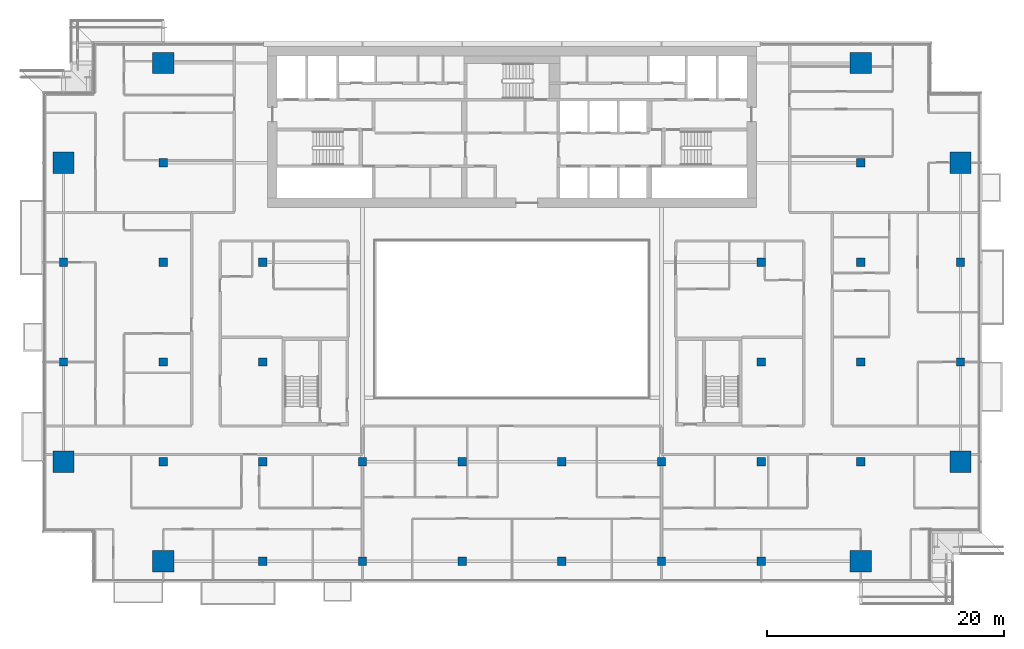
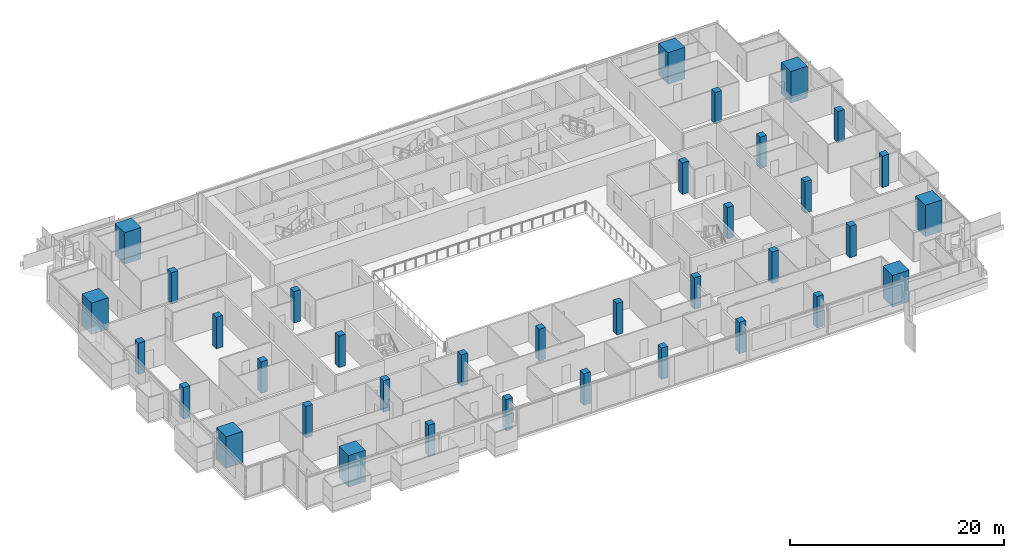
# One storey, part 1 of 30: 36 columns.
"""IFC4 building model written with IfcOpenShell, lengths in metres."""

from ifc_helpers import new_model, si_unit, direction, frame, origin, origin_2d, place, context, subcontext, project, spatial, rectangle, extrude, material, material_profile, profile_set, type_object, element, save


model = new_model("IFC4")

# Units and contexts
model_context = context("Model", 3, precision=1e-05, world=origin(), true_north=direction((0.0, 1.0)))
body_context = subcontext(model_context, "Body", "Model", "MODEL_VIEW")
ifc_project = project(units=[si_unit("LENGTHUNIT", "METRE"), si_unit("AREAUNIT", "SQUARE_METRE"), si_unit("VOLUMEUNIT", "CUBIC_METRE"), si_unit("PLANEANGLEUNIT", "RADIAN"), si_unit("MASSUNIT", "GRAM", prefix="KILO")], contexts=[model_context])

# Site, building, storey
site_placement = place(None, origin())
site = spatial("IfcSite", under=ifc_project, at=site_placement, CompositionType="ELEMENT")
building_placement = place(site_placement, origin())
building = spatial("IfcBuilding", under=site, at=building_placement, Name="Saffron Gate Tower", CompositionType="ELEMENT")
storey_placement = place(building_placement, frame((0.0, 0.0, 158.25)))
storey = spatial("IfcBuildingStorey", under=building, at=storey_placement, Name="L38", CompositionType="ELEMENT", Elevation=158.25)

# Columns
ifc_material_1 = material(Name="Concrete C50", Category="concrete")
ifc_material_profile_1 = material_profile(ifc_material_1, rectangle(XDim=0.699951171875, YDim=0.699951171875, at=origin_2d()))
ifc_profile_set_1 = profile_set([ifc_material_profile_1], Name="Concrete C50")
column_type_1 = type_object("IfcColumnType", Name="C3 RC 700x700 CONCRETE C50", PredefinedType="COLUMN", material=ifc_profile_set_1)
for number, where, z_axis, x_axis, name in (
    (1, (49.800048828125, 48.60009765625, 0.0), (0.0, 0.0, 1.0), (1.0, 0.0, 0.0), "C3 COLUMN X1-C"),
    (2, (49.800048828125, 57.0, 0.0), (0.0, 0.0, 1.0), (1.0, 0.0, 0.0), "C3 COLUMN X1-D"),
    (3, (58.199951171875, 40.199951171875, 0.0), (0.0, 0.0, 1.0), (1.0, 0.0, 0.0), "C3 COLUMN X2-B"),
    (4, (58.199951171875, 48.60009765625, 0.0), (0.0, 0.0, 1.0), (1.0, 0.0, 0.0), "C3 COLUMN X2-C"),
    (5, (58.199951171875, 57.0, 0.0), (0.0, 0.0, 1.0), (1.0, 0.0, 0.0), "C3 COLUMN X2-D"),
    (6, (58.199951171875, 65.39990234375, 0.0), (0.0, 0.0, 1.0), (1.0, 0.0, 0.0), "C3 COLUMN X2-E"),
    (7, (66.60009765625, 31.800048828125, 0.0), (0.0, 0.0, 1.0), (1.0, 0.0, 0.0), "C3 COLUMN X3-A"),
    (8, (66.60009765625, 40.199951171875, 0.0), (0.0, 0.0, 1.0), (1.0, 0.0, 0.0), "C3 COLUMN X3-B"),
    (9, (66.60009765625, 48.60009765625, 0.0), (0.0, 0.0, 1.0), (1.0, 0.0, 0.0), "C3 COLUMN X3-C"),
    (10, (66.60009765625, 57.0, 0.0), (0.0, 0.0, 1.0), (1.0, 0.0, 0.0), "C3 COLUMN X3-D"),
    (11, (75.0, 31.800048828125, 0.0), (0.0, 0.0, 1.0), (1.0, 0.0, 0.0), "C3 COLUMN X4-A"),
    (12, (75.0, 40.199951171875, 0.0), (0.0, 0.0, 1.0), (1.0, 0.0, 0.0), "C3 COLUMN X4-B"),
    (13, (83.39990234375, 31.800048828125, 0.0), (0.0, 0.0, 1.0), (1.0, 0.0, 0.0), "C3 COLUMN X5-A"),
    (14, (83.39990234375, 40.199951171875, 0.0), (0.0, 0.0, 1.0), (1.0, 0.0, 0.0), "C3 COLUMN X5-B"),
    (15, (91.800048828125, 31.800048828125, 0.0), (0.0, 0.0, 1.0), (1.0, 0.0, 0.0), "C3 COLUMN X6-A"),
    (16, (91.800048828125, 40.199951171875, 0.0), (0.0, 0.0, 1.0), (1.0, 0.0, 0.0), "C3 COLUMN X6-B"),
    (17, (100.199951171875, 31.800048828125, 0.0), (0.0, 0.0, 1.0), (1.0, 0.0, 0.0), "C3 COLUMN X7-A"),
    (18, (100.199951171875, 40.199951171875, 0.0), (0.0, 0.0, 1.0), (1.0, 0.0, 0.0), "C3 COLUMN X7-B"),
    (19, (108.60009765625, 31.800048828125, 0.0), (0.0, 0.0, 1.0), (1.0, 0.0, 0.0), "C3 COLUMN X8-A"),
    (20, (108.60009765625, 40.199951171875, 0.0), (0.0, 0.0, 1.0), (1.0, 0.0, 0.0), "C3 COLUMN X8-B"),
    (21, (108.60009765625, 48.60009765625, 0.0), (0.0, 0.0, 1.0), (1.0, 0.0, 0.0), "C3 COLUMN X8-C"),
    (22, (108.60009765625, 57.0, 0.0), (0.0, 0.0, 1.0), (1.0, 0.0, 0.0), "C3 COLUMN X8-D"),
    (23, (117.0, 40.199951171875, 0.0), (0.0, 0.0, 1.0), (1.0, 0.0, 0.0), "C3 COLUMN X9-B"),
    (24, (117.0, 48.60009765625, 0.0), (0.0, 0.0, 1.0), (1.0, 0.0, 0.0), "C3 COLUMN X9-C"),
    (25, (117.0, 57.0, 0.0), (0.0, 0.0, 1.0), (1.0, 0.0, 0.0), "C3 COLUMN X9-D"),
    (26, (117.0, 65.39990234375, 0.0), (0.0, 0.0, 1.0), (1.0, 0.0, 0.0), "C3 COLUMN X9-E"),
    (27, (125.39990234375, 48.60009765625, 0.0), (0.0, 0.0, 1.0), (1.0, 0.0, 0.0), "C3 COLUMN X10-C"),
    (28, (125.39990234375, 57.0, 0.0), (0.0, 0.0, 1.0), (1.0, 0.0, 0.0), "C3 COLUMN X10-D"),
):
    element("IfcColumn", number, at=place(storey_placement, frame(where, z_axis=z_axis, x_axis=x_axis)), inside=storey, type_object=column_type_1, Name=name, PredefinedType="COLUMN", context=body_context, shape_type="SweptSolid", body=[
        extrude(rectangle(XDim=0.699951171875, YDim=0.699951171875, at=origin_2d()), origin(), (0.0, 0.0, 1.0), 3.60009765625),
    ])
ifc_material_2 = material(Name="Concrete C70", Category="concrete")
ifc_material_profile_2 = material_profile(ifc_material_2, rectangle(XDim=1.800048828125, YDim=1.800048828125, at=origin_2d()))
ifc_profile_set_2 = profile_set([ifc_material_profile_2], Name="Concrete C70")
column_type_2 = type_object("IfcColumnType", Name="MC2 RC 1800x1800 CONCRETE C70", PredefinedType="COLUMN", material=ifc_profile_set_2)
for number, where, z_axis, x_axis, name in (
    (29, (49.800048828125, 40.199951171875, 0.0), (0.0, 0.0, 1.0), (1.0, 0.0, 0.0), "MC2 MEGA COLUMN X1-B"),
    (30, (49.800048828125, 65.39990234375, 0.0), (0.0, 0.0, 1.0), (1.0, 0.0, 0.0), "MC2 MEGA COLUMN X1-E"),
    (31, (58.199951171875, 31.800048828125, 0.0), (0.0, 0.0, 1.0), (1.0, 0.0, 0.0), "MC2 MEGA COLUMN X2-A"),
    (32, (58.199951171875, 73.800048828125, 0.0), (0.0, 0.0, 1.0), (1.0, 0.0, 0.0), "MC2 MEGA COLUMN X2-F"),
    (33, (117.0, 31.800048828125, 0.0), (0.0, 0.0, 1.0), (1.0, 0.0, 0.0), "MC2 MEGA COLUMN X9-A"),
    (34, (117.0, 73.800048828125, 0.0), (0.0, 0.0, 1.0), (1.0, 0.0, 0.0), "MC2 MEGA COLUMN X9-F"),
    (35, (125.39990234375, 40.199951171875, 0.0), (0.0, 0.0, 1.0), (1.0, 0.0, 0.0), "MC2 MEGA COLUMN X10-B"),
    (36, (125.39990234375, 65.39990234375, 0.0), (0.0, 0.0, 1.0), (1.0, 0.0, 0.0), "MC2 MEGA COLUMN X10-E"),
):
    element("IfcColumn", number, at=place(storey_placement, frame(where, z_axis=z_axis, x_axis=x_axis)), inside=storey, type_object=column_type_2, Name=name, PredefinedType="COLUMN", context=body_context, shape_type="SweptSolid", body=[
        extrude(rectangle(XDim=1.800048828125, YDim=1.800048828125, at=origin_2d()), origin(), (0.0, 0.0, 1.0), 3.60009765625),
    ])

save(model, "model.ifc")
